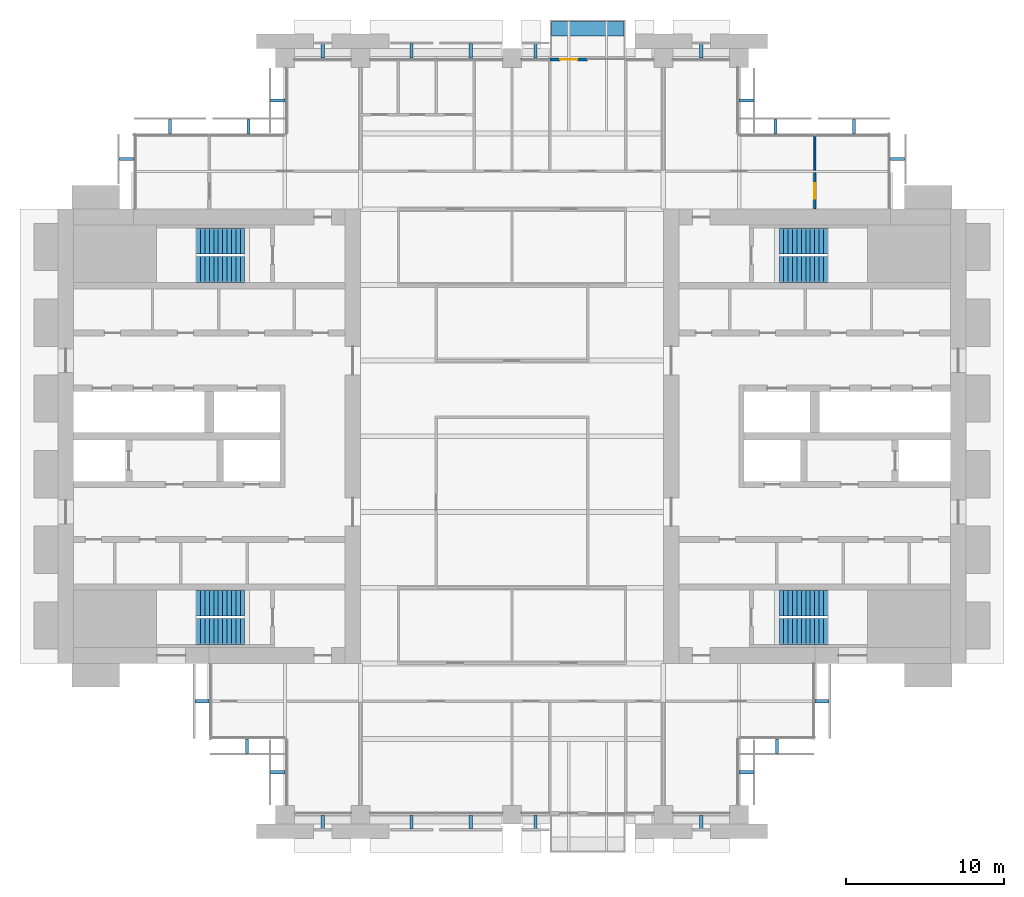
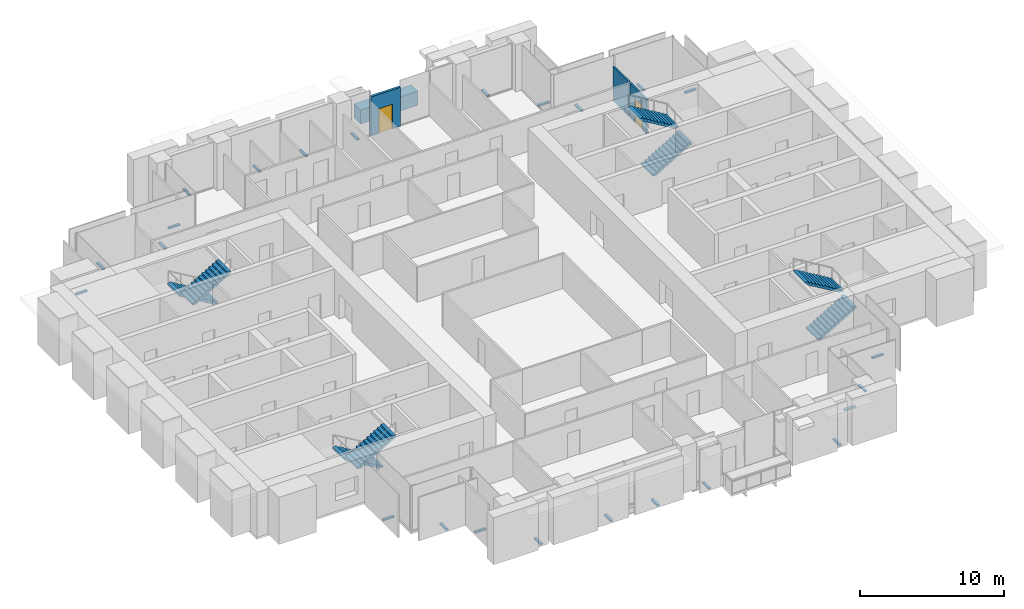
# One storey, part 13 of 15: 24 discrete accessories, 8 stair flights, 4 walls, 2 doors, 2 openings, 4 elements without a shape of their own.
"""IFC4 building model written with IfcOpenShell, lengths in metres."""

from ifc_helpers import new_model, si_unit, direction, frame, frame_2d, origin, origin_2d, place, context, subcontext, project, spatial, polyline, rectangle, outline, extrude, material, layer, layer_set, type_object, element, fill, aggregate, save


model = new_model("IFC4")

# Units and contexts
model_context = context("Model", 3, precision=1e-05, world=origin(), true_north=direction((0.0, 1.0)))
body_context = subcontext(model_context, "Body", "Model", "MODEL_VIEW")
ifc_project = project(units=[si_unit("LENGTHUNIT", "METRE"), si_unit("AREAUNIT", "SQUARE_METRE"), si_unit("VOLUMEUNIT", "CUBIC_METRE"), si_unit("PLANEANGLEUNIT", "RADIAN"), si_unit("MASSUNIT", "GRAM", prefix="KILO")], contexts=[model_context])

# Site, building, storey
site_placement = place(None, origin())
site = spatial("IfcSite", under=ifc_project, at=site_placement, CompositionType="ELEMENT")
building_placement = place(site_placement, origin())
building = spatial("IfcBuilding", under=site, at=building_placement, Name="Baori Bourse Tower", CompositionType="ELEMENT")
storey_placement = place(building_placement, frame((0.0, 0.0, 140.10009765625)))
storey = spatial("IfcBuildingStorey", under=building, at=storey_placement, Name="L30", CompositionType="ELEMENT", Elevation=140.10009765625)

# Wall, opening, door
ifc_material_1 = material(Name="Gypsum board partition")
ifc_layer_1 = layer(ifc_material_1, 0.14990234375)
ifc_layer_set_1 = layer_set([ifc_layer_1], Name="Corridor partition 150")
wall_type_1 = type_object("IfcWallType", Name="Corridor partition 150", PredefinedType="PARTITIONING", material=ifc_layer_set_1)
wall_1_placement = place(storey_placement, frame((48.0, 38.39990234375, 0.0), z_axis=(0.0, 0.0, 1.0), x_axis=(0.0, 1.0, 0.0)))
wall_1 = element("IfcWall", 1, at=wall_1_placement, inside=storey, type_object=wall_type_1, Name="Partition", PredefinedType="PARTITIONING", context=body_context, shape_type="SweptSolid", body=[
    extrude(rectangle(XDim=2.3251953125, YDim=0.14990234375, at=frame_2d((1.16259765625, 0.0))), origin(), (0.0, 0.0, 1.0), 2.935546875),
])
opening_1_placement = place(wall_1_placement, frame((0.66259765625, 0.0, 0.0)))
opening_1 = element("IfcOpeningElement", 2, at=opening_1_placement, cuts=wall_1, Name="Opening L30-D24", PredefinedType="OPENING", context=body_context, shape_type="SweptSolid", body=[
    extrude(rectangle(XDim=1.0, YDim=2.10009765625, at=frame_2d((0.5, 1.050048828125))), frame((0.0, 0.0849609375, 0.0), z_axis=(0.0, -1.0, 0.0), x_axis=(1.0, 0.0, 0.0)), (0.0, 0.0, 1.0), 0.169921875),
])
ifc_material_2 = material(Name="Timber door leaf", Category="wood")
door_type_1 = type_object("IfcDoorType", Name="Door 1000 x 2100", OperationType="SINGLE_SWING_LEFT", PredefinedType="DOOR", material=ifc_material_2)
door_1_placement = place(opening_1_placement, origin())
door_1 = element("IfcDoor", 3, at=door_1_placement, inside=storey, type_object=door_type_1, Name="Door", OperationType="SINGLE_SWING_LEFT", OverallHeight=2.10009765625, OverallWidth=1.0, PredefinedType="DOOR", context=body_context, shape_type="SweptSolid", body=[
    extrude(rectangle(XDim=1.0, YDim=2.10009765625, at=frame_2d((0.5, 1.050048828125))), frame((0.0, 0.02490234375, 0.0), z_axis=(0.0, -1.0, 0.0), x_axis=(1.0, 0.0, 0.0)), (0.0, 0.0, 1.0), 0.050048828125),
])
fill(opening_1, door_1)

ifc_material_3 = material(Name="Pale anodised aluminium", Category="aluminium")
ifc_layer_2 = layer(ifc_material_3, 0.199951171875)
ifc_layer_set_2 = layer_set([ifc_layer_2], Name="EW1 External wall bay")
wall_type_2 = type_object("IfcWallType", Name="EW1 External wall bay", PredefinedType="SOLIDWALL", material=ifc_layer_set_2)
wall_2_placement = place(storey_placement, frame((33.60009765625, 47.89990234375, 0.0), z_axis=(0.0, 0.0, 1.0), x_axis=(-1.0, 0.0, 0.0)))
wall_2 = element("IfcWall", 4, at=wall_2_placement, inside=storey, type_object=wall_type_2, Name="External wall bay L30 1", PredefinedType="SOLIDWALL", context=body_context, shape_type="SweptSolid", body=[
    extrude(rectangle(XDim=2.400146484375, YDim=0.199951171875, at=frame_2d((1.2001953125, 0.0))), origin(), (0.0, 0.0, 1.0), 3.314208984375),
])
opening_2_placement = place(wall_2_placement, frame((0.64990234375, 0.0, 0.0)))
opening_2 = element("IfcOpeningElement", 5, at=opening_2_placement, cuts=wall_2, Name="Opening L30-D91", PredefinedType="OPENING", context=body_context, shape_type="SweptSolid", body=[
    extrude(rectangle(XDim=1.10009765625, YDim=2.10009765625, at=frame_2d((0.550048828125, 1.050048828125))), frame((0.0, 0.10986328125, 0.0), z_axis=(0.0, -1.0, 0.0), x_axis=(1.0, 0.0, 0.0)), (0.0, 0.0, 1.0), 0.219970703125),
])
ifc_material_4 = material(Name="Pale anodised aluminium", Category="aluminium")
door_type_2 = type_object("IfcDoorType", Name="BL1 Balcony door", OperationType="SINGLE_SWING_LEFT", PredefinedType="DOOR", material=ifc_material_4)
door_2_placement = place(opening_2_placement, origin())
door_2 = element("IfcDoor", 6, at=door_2_placement, inside=storey, type_object=door_type_2, Name="Balcony door L30 1", OperationType="SINGLE_SWING_LEFT", OverallHeight=2.10009765625, OverallWidth=1.10009765625, PredefinedType="DOOR", context=body_context, shape_type="SweptSolid", body=[
    extrude(rectangle(XDim=1.10009765625, YDim=2.10009765625, at=frame_2d((0.550048828125, 1.050048828125))), frame((0.0, 0.02490234375, 0.0), z_axis=(0.0, -1.0, 0.0), x_axis=(1.0, 0.0, 0.0)), (0.0, 0.0, 1.0), 0.050048828125),
])
fill(opening_2, door_2)

# Walls
ifc_material_5 = material(Name="Concrete f'c 40 MPa", Category="concrete")
ifc_layer_3 = layer(ifc_material_5, 0.89990234375)
ifc_layer_set_3 = layer_set([ifc_layer_3], Name="PW1 Planter wall")
wall_type_3 = type_object("IfcWallType", Name="PW1 Planter wall", PredefinedType="USERDEFINED", material=ifc_layer_set_3)
wall_3_placement = place(storey_placement, frame((31.300048828125, 49.85009765625, 0.0), z_axis=(0.0, 0.0, 1.0), x_axis=(1.0, 0.0, 0.0)))
element("IfcWall", 7, at=wall_3_placement, inside=storey, type_object=wall_type_3, Name="Planter balcony N L30 2", ObjectType="PLANTER", PredefinedType="USERDEFINED", context=body_context, shape_type="SweptSolid", body=[
    extrude(rectangle(XDim=4.599853515625, YDim=0.89990234375, at=frame_2d((2.2998046875, 0.0))), origin(), (0.0, 0.0, 1.0), 1.199951171875),
])
ifc_material_6 = material(Name="Gypsum board partition")
ifc_layer_4 = layer(ifc_material_6, 0.125)
ifc_layer_set_4 = layer_set([ifc_layer_4], Name="Partition 125")
wall_type_4 = type_object("IfcWallType", Name="Partition 125", PredefinedType="PARTITIONING", material=ifc_layer_set_4)
wall_4_placement = place(storey_placement, frame((48.0, 40.875, 0.0), z_axis=(0.0, 0.0, 1.0), x_axis=(0.0, 1.0, 0.0)))
element("IfcWall", 8, at=wall_4_placement, inside=storey, type_object=wall_type_4, Name="Partition", PredefinedType="PARTITIONING", context=body_context, shape_type="SweptSolid", body=[
    extrude(rectangle(XDim=2.22509765625, YDim=0.125, at=frame_2d((1.112548828125, 0.0))), origin(), (0.0, 0.0, 1.0), 2.935546875),
])

# Stair, stair flights
ifc_material_7 = material(Name="Concrete f'c 50 MPa", Category="concrete")
stair_type = type_object("IfcStairType", Name="Core stair", PredefinedType="HALF_TURN_STAIR", material=ifc_material_7)
stair_1_placement = place(storey_placement, origin())
stair_1 = element("IfcStair", 9, at=stair_1_placement, inside=storey, type_object=stair_type, Name="L30 Stair WA", PredefinedType="HALF_TURN_STAIR")
ifc_material_8 = material(Name="Concrete f'c 50 MPa", Category="concrete")
stair_flight_type = type_object("IfcStairFlightType", Name="Core stair flight", PredefinedType="STRAIGHT", material=ifc_material_8)
stair_flight_1_placement = place(storey_placement, frame((11.85009765625, 13.425048828125, 0.0), z_axis=(0.0, 0.0, 1.0), x_axis=(-1.0, 0.0, 0.0)))
stair_flight_1 = element("IfcStairFlight", 10, at=stair_flight_1_placement, type_object=stair_flight_type, Name="ST1 flight 1", NumberOfRisers=12, NumberOfTreads=11, PredefinedType="STRAIGHT", RiserHeight=0.166666667, TreadLength=0.28, context=body_context, shape_type="SweptSolid", body=[
    extrude(outline(polyline([(0.0, 0.0), (0.0, 0.166748046875), (0.280029296875, 0.166748046875), (0.280029296875, 0.333251953125), (0.56005859375, 0.333251953125), (0.56005859375, 0.5), (0.840087890625, 0.5), (0.840087890625, 0.666748046875), (1.1201171875, 0.666748046875), (1.1201171875, 0.833251953125), (1.39990234375, 0.833251953125), (1.39990234375, 1.0), (1.679931640625, 1.0), (1.679931640625, 1.166748046875), (1.9599609375, 1.166748046875), (1.9599609375, 1.333251953125), (2.239990234375, 1.333251953125), (2.239990234375, 1.5), (2.52001953125, 1.5), (2.52001953125, 1.666748046875), (2.800048828125, 1.666748046875), (2.800048828125, 1.833251953125), (3.080078125, 1.833251953125), (3.080078125, 2.0), (3.080078125, 1.658935546875), (0.29296875, 0.0), (0.0, 0.0)])), frame((0.0, 0.824951171875, 0.0), z_axis=(0.0, -1.0, 0.0), x_axis=(1.0, 0.0, 0.0)), (0.0, 0.0, 1.0), 1.64990234375),
])
stair_flight_2_placement = place(storey_placement, frame((8.77001953125, 11.625, 2.0), z_axis=(0.0, 0.0, 1.0), x_axis=(1.0, 0.0, 0.0)))
stair_flight_2 = element("IfcStairFlight", 11, at=stair_flight_2_placement, type_object=stair_flight_type, Name="ST1 flight 2", NumberOfRisers=12, NumberOfTreads=11, PredefinedType="STRAIGHT", RiserHeight=0.166666667, TreadLength=0.28, context=body_context, shape_type="SweptSolid", body=[
    extrude(outline(polyline([(0.0, 0.0), (0.0, 0.166748046875), (0.280029296875, 0.166748046875), (0.280029296875, 0.333251953125), (0.56005859375, 0.333251953125), (0.56005859375, 0.5), (0.840087890625, 0.5), (0.840087890625, 0.666748046875), (1.1201171875, 0.666748046875), (1.1201171875, 0.833251953125), (1.39990234375, 0.833251953125), (1.39990234375, 1.0), (1.679931640625, 1.0), (1.679931640625, 1.166748046875), (1.9599609375, 1.166748046875), (1.9599609375, 1.333251953125), (2.239990234375, 1.333251953125), (2.239990234375, 1.5), (2.52001953125, 1.5), (2.52001953125, 1.666748046875), (2.800048828125, 1.666748046875), (2.800048828125, 1.833251953125), (3.080078125, 1.833251953125), (3.080078125, 2.0), (3.080078125, 1.658935546875), (0.29296875, 0.0), (0.0, 0.0)])), frame((0.0, 0.824951171875, 0.0), z_axis=(0.0, -1.0, 0.0), x_axis=(1.0, 0.0, 0.0)), (0.0, 0.0, 1.0), 1.64990234375),
])
aggregate(stair_1, [stair_flight_1, stair_flight_2])

stair_2_placement = place(storey_placement, origin())
stair_2 = element("IfcStair", 12, at=stair_2_placement, inside=storey, type_object=stair_type, Name="L30 Stair WB", PredefinedType="HALF_TURN_STAIR")
stair_flight_3_placement = place(storey_placement, frame((11.85009765625, 36.375, 0.0), z_axis=(0.0, 0.0, 1.0), x_axis=(-1.0, 0.0, 0.0)))
stair_flight_3 = element("IfcStairFlight", 13, at=stair_flight_3_placement, type_object=stair_flight_type, Name="ST2 flight 1", NumberOfRisers=12, NumberOfTreads=11, PredefinedType="STRAIGHT", RiserHeight=0.166666667, TreadLength=0.28, context=body_context, shape_type="SweptSolid", body=[
    extrude(outline(polyline([(0.0, 0.0), (0.0, 0.166748046875), (0.280029296875, 0.166748046875), (0.280029296875, 0.333251953125), (0.56005859375, 0.333251953125), (0.56005859375, 0.5), (0.840087890625, 0.5), (0.840087890625, 0.666748046875), (1.1201171875, 0.666748046875), (1.1201171875, 0.833251953125), (1.39990234375, 0.833251953125), (1.39990234375, 1.0), (1.679931640625, 1.0), (1.679931640625, 1.166748046875), (1.9599609375, 1.166748046875), (1.9599609375, 1.333251953125), (2.239990234375, 1.333251953125), (2.239990234375, 1.5), (2.52001953125, 1.5), (2.52001953125, 1.666748046875), (2.800048828125, 1.666748046875), (2.800048828125, 1.833251953125), (3.080078125, 1.833251953125), (3.080078125, 2.0), (3.080078125, 1.658935546875), (0.29296875, 0.0), (0.0, 0.0)])), frame((0.0, 0.824951171875, 0.0), z_axis=(0.0, -1.0, 0.0), x_axis=(1.0, 0.0, 0.0)), (0.0, 0.0, 1.0), 1.64990234375),
])
stair_flight_4_placement = place(storey_placement, frame((8.77001953125, 34.574951171875, 2.0), z_axis=(0.0, 0.0, 1.0), x_axis=(1.0, 0.0, 0.0)))
stair_flight_4 = element("IfcStairFlight", 14, at=stair_flight_4_placement, type_object=stair_flight_type, Name="ST2 flight 2", NumberOfRisers=12, NumberOfTreads=11, PredefinedType="STRAIGHT", RiserHeight=0.166666667, TreadLength=0.28, context=body_context, shape_type="SweptSolid", body=[
    extrude(outline(polyline([(0.0, 0.0), (0.0, 0.166748046875), (0.280029296875, 0.166748046875), (0.280029296875, 0.333251953125), (0.56005859375, 0.333251953125), (0.56005859375, 0.5), (0.840087890625, 0.5), (0.840087890625, 0.666748046875), (1.1201171875, 0.666748046875), (1.1201171875, 0.833251953125), (1.39990234375, 0.833251953125), (1.39990234375, 1.0), (1.679931640625, 1.0), (1.679931640625, 1.166748046875), (1.9599609375, 1.166748046875), (1.9599609375, 1.333251953125), (2.239990234375, 1.333251953125), (2.239990234375, 1.5), (2.52001953125, 1.5), (2.52001953125, 1.666748046875), (2.800048828125, 1.666748046875), (2.800048828125, 1.833251953125), (3.080078125, 1.833251953125), (3.080078125, 2.0), (3.080078125, 1.658935546875), (0.29296875, 0.0), (0.0, 0.0)])), frame((0.0, 0.824951171875, 0.0), z_axis=(0.0, -1.0, 0.0), x_axis=(1.0, 0.0, 0.0)), (0.0, 0.0, 1.0), 1.64990234375),
])
aggregate(stair_2, [stair_flight_3, stair_flight_4])

stair_3_placement = place(storey_placement, origin())
stair_3 = element("IfcStair", 15, at=stair_3_placement, inside=storey, type_object=stair_type, Name="L30 Stair EA", PredefinedType="HALF_TURN_STAIR")
stair_flight_5_placement = place(storey_placement, frame((45.75, 11.625, 0.0), z_axis=(0.0, 0.0, 1.0), x_axis=(1.0, 0.0, 0.0)))
stair_flight_5 = element("IfcStairFlight", 16, at=stair_flight_5_placement, type_object=stair_flight_type, Name="ST3 flight 1", NumberOfRisers=12, NumberOfTreads=11, PredefinedType="STRAIGHT", RiserHeight=0.166666667, TreadLength=0.28, context=body_context, shape_type="SweptSolid", body=[
    extrude(outline(polyline([(0.0, 0.0), (0.0, 0.166748046875), (0.280029296875, 0.166748046875), (0.280029296875, 0.333251953125), (0.56005859375, 0.333251953125), (0.56005859375, 0.5), (0.840087890625, 0.5), (0.840087890625, 0.666748046875), (1.1201171875, 0.666748046875), (1.1201171875, 0.833251953125), (1.39990234375, 0.833251953125), (1.39990234375, 1.0), (1.679931640625, 1.0), (1.679931640625, 1.166748046875), (1.9599609375, 1.166748046875), (1.9599609375, 1.333251953125), (2.239990234375, 1.333251953125), (2.239990234375, 1.5), (2.52001953125, 1.5), (2.52001953125, 1.666748046875), (2.800048828125, 1.666748046875), (2.800048828125, 1.833251953125), (3.080078125, 1.833251953125), (3.080078125, 2.0), (3.080078125, 1.658935546875), (0.29296875, 0.0), (0.0, 0.0)])), frame((0.0, 0.824951171875, 0.0), z_axis=(0.0, -1.0, 0.0), x_axis=(1.0, 0.0, 0.0)), (0.0, 0.0, 1.0), 1.64990234375),
])
stair_flight_6_placement = place(storey_placement, frame((48.830078125, 13.425048828125, 2.0), z_axis=(0.0, 0.0, 1.0), x_axis=(-1.0, 0.0, 0.0)))
stair_flight_6 = element("IfcStairFlight", 17, at=stair_flight_6_placement, type_object=stair_flight_type, Name="ST3 flight 2", NumberOfRisers=12, NumberOfTreads=11, PredefinedType="STRAIGHT", RiserHeight=0.166666667, TreadLength=0.28, context=body_context, shape_type="SweptSolid", body=[
    extrude(outline(polyline([(0.0, 0.0), (0.0, 0.166748046875), (0.280029296875, 0.166748046875), (0.280029296875, 0.333251953125), (0.56005859375, 0.333251953125), (0.56005859375, 0.5), (0.840087890625, 0.5), (0.840087890625, 0.666748046875), (1.1201171875, 0.666748046875), (1.1201171875, 0.833251953125), (1.39990234375, 0.833251953125), (1.39990234375, 1.0), (1.679931640625, 1.0), (1.679931640625, 1.166748046875), (1.9599609375, 1.166748046875), (1.9599609375, 1.333251953125), (2.239990234375, 1.333251953125), (2.239990234375, 1.5), (2.52001953125, 1.5), (2.52001953125, 1.666748046875), (2.800048828125, 1.666748046875), (2.800048828125, 1.833251953125), (3.080078125, 1.833251953125), (3.080078125, 2.0), (3.080078125, 1.658935546875), (0.29296875, 0.0), (0.0, 0.0)])), frame((0.0, 0.824951171875, 0.0), z_axis=(0.0, -1.0, 0.0), x_axis=(1.0, 0.0, 0.0)), (0.0, 0.0, 1.0), 1.64990234375),
])
aggregate(stair_3, [stair_flight_5, stair_flight_6])

stair_4_placement = place(storey_placement, origin())
stair_4 = element("IfcStair", 18, at=stair_4_placement, inside=storey, type_object=stair_type, Name="L30 Stair EB", PredefinedType="HALF_TURN_STAIR")
stair_flight_7_placement = place(storey_placement, frame((45.75, 34.574951171875, 0.0), z_axis=(0.0, 0.0, 1.0), x_axis=(1.0, 0.0, 0.0)))
stair_flight_7 = element("IfcStairFlight", 19, at=stair_flight_7_placement, type_object=stair_flight_type, Name="ST4 flight 1", NumberOfRisers=12, NumberOfTreads=11, PredefinedType="STRAIGHT", RiserHeight=0.166666667, TreadLength=0.28, context=body_context, shape_type="SweptSolid", body=[
    extrude(outline(polyline([(0.0, 0.0), (0.0, 0.166748046875), (0.280029296875, 0.166748046875), (0.280029296875, 0.333251953125), (0.56005859375, 0.333251953125), (0.56005859375, 0.5), (0.840087890625, 0.5), (0.840087890625, 0.666748046875), (1.1201171875, 0.666748046875), (1.1201171875, 0.833251953125), (1.39990234375, 0.833251953125), (1.39990234375, 1.0), (1.679931640625, 1.0), (1.679931640625, 1.166748046875), (1.9599609375, 1.166748046875), (1.9599609375, 1.333251953125), (2.239990234375, 1.333251953125), (2.239990234375, 1.5), (2.52001953125, 1.5), (2.52001953125, 1.666748046875), (2.800048828125, 1.666748046875), (2.800048828125, 1.833251953125), (3.080078125, 1.833251953125), (3.080078125, 2.0), (3.080078125, 1.658935546875), (0.29296875, 0.0), (0.0, 0.0)])), frame((0.0, 0.824951171875, 0.0), z_axis=(0.0, -1.0, 0.0), x_axis=(1.0, 0.0, 0.0)), (0.0, 0.0, 1.0), 1.64990234375),
])
stair_flight_8_placement = place(storey_placement, frame((48.830078125, 36.375, 2.0), z_axis=(0.0, 0.0, 1.0), x_axis=(-1.0, 0.0, 0.0)))
stair_flight_8 = element("IfcStairFlight", 20, at=stair_flight_8_placement, type_object=stair_flight_type, Name="ST4 flight 2", NumberOfRisers=12, NumberOfTreads=11, PredefinedType="STRAIGHT", RiserHeight=0.166666667, TreadLength=0.28, context=body_context, shape_type="SweptSolid", body=[
    extrude(outline(polyline([(0.0, 0.0), (0.0, 0.166748046875), (0.280029296875, 0.166748046875), (0.280029296875, 0.333251953125), (0.56005859375, 0.333251953125), (0.56005859375, 0.5), (0.840087890625, 0.5), (0.840087890625, 0.666748046875), (1.1201171875, 0.666748046875), (1.1201171875, 0.833251953125), (1.39990234375, 0.833251953125), (1.39990234375, 1.0), (1.679931640625, 1.0), (1.679931640625, 1.166748046875), (1.9599609375, 1.166748046875), (1.9599609375, 1.333251953125), (2.239990234375, 1.333251953125), (2.239990234375, 1.5), (2.52001953125, 1.5), (2.52001953125, 1.666748046875), (2.800048828125, 1.666748046875), (2.800048828125, 1.833251953125), (3.080078125, 1.833251953125), (3.080078125, 2.0), (3.080078125, 1.658935546875), (0.29296875, 0.0), (0.0, 0.0)])), frame((0.0, 0.824951171875, 0.0), z_axis=(0.0, -1.0, 0.0), x_axis=(1.0, 0.0, 0.0)), (0.0, 0.0, 1.0), 1.64990234375),
])
aggregate(stair_4, [stair_flight_7, stair_flight_8])

# Discrete accessories
ifc_material_9 = material(Name="Pale anodised aluminium", Category="aluminium")
discrete_accessory_type = type_object("IfcDiscreteAccessoryType", Name="OS2 Outer skin bracket", PredefinedType="BRACKET", material=ifc_material_9)
for number, where, z_axis, x_axis, name in (
    (21, (53.25, 41.574951171875, -0.14404296875), (0.0, 0.0, 1.0), (0.0, 1.0, 0.0), "Outer skin bracket L30 1"),
    (22, (50.487548828125, 43.64990234375, -0.14404296875), (0.0, 0.0, 1.0), (-1.0, 0.0, 0.0), "Outer skin bracket L30 2"),
    (23, (45.512451171875, 43.64990234375, -0.14404296875), (0.0, 0.0, 1.0), (-1.0, 0.0, 0.0), "Outer skin bracket L30 3"),
    (24, (43.64990234375, 45.300048828125, -0.14404296875), (0.0, 0.0, 1.0), (0.0, 1.0, 0.0), "Outer skin bracket L30 4"),
    (25, (40.800048828125, 48.449951171875, -0.14404296875), (0.0, 0.0, 1.0), (-1.0, 0.0, 0.0), "Outer skin bracket L30 5"),
    (26, (30.300048828125, 48.449951171875, -0.14404296875), (0.0, 0.0, 1.0), (-1.0, 0.0, 0.0), "Outer skin bracket L30 6"),
    (27, (26.1875, 48.449951171875, -0.14404296875), (0.0, 0.0, 1.0), (-1.0, 0.0, 0.0), "Outer skin bracket L30 7"),
    (28, (22.4375, 48.449951171875, -0.14404296875), (0.0, 0.0, 1.0), (-1.0, 0.0, 0.0), "Outer skin bracket L30 8"),
    (29, (16.800048828125, 48.449951171875, -0.14404296875), (0.0, 0.0, 1.0), (-1.0, 0.0, 0.0), "Outer skin bracket L30 9"),
    (30, (13.949951171875, 45.300048828125, -0.14404296875), (0.0, 0.0, 1.0), (0.0, -1.0, 0.0), "Outer skin bracket L30 10"),
    (31, (12.08740234375, 43.64990234375, -0.14404296875), (0.0, 0.0, 1.0), (-1.0, 0.0, 0.0), "Outer skin bracket L30 11"),
    (32, (7.112548828125, 43.64990234375, -0.14404296875), (0.0, 0.0, 1.0), (-1.0, 0.0, 0.0), "Outer skin bracket L30 12"),
    (33, (4.35009765625, 41.574951171875, -0.14404296875), (0.0, 0.0, 1.0), (0.0, -1.0, 0.0), "Outer skin bracket L30 13"),
    (34, (9.14990234375, 7.199951171875, -0.14404296875), (0.0, 0.0, 1.0), (0.0, -1.0, 0.0), "Outer skin bracket L30 14"),
    (35, (12.0, 4.35009765625, -0.14404296875), (0.0, 0.0, 1.0), (1.0, 0.0, 0.0), "Outer skin bracket L30 15"),
    (36, (13.949951171875, 2.699951171875, -0.14404296875), (0.0, 0.0, 1.0), (0.0, -1.0, 0.0), "Outer skin bracket L30 16"),
    (37, (16.800048828125, -0.449951171875, -0.14404296875), (0.0, 0.0, 1.0), (1.0, 0.0, 0.0), "Outer skin bracket L30 17"),
    (38, (22.4375, -0.449951171875, -0.14404296875), (0.0, 0.0, 1.0), (1.0, 0.0, 0.0), "Outer skin bracket L30 18"),
    (39, (26.1875, -0.449951171875, -0.14404296875), (0.0, 0.0, 1.0), (1.0, 0.0, 0.0), "Outer skin bracket L30 19"),
    (40, (30.300048828125, -0.449951171875, -0.14404296875), (0.0, 0.0, 1.0), (1.0, 0.0, 0.0), "Outer skin bracket L30 20"),
    (41, (40.800048828125, -0.449951171875, -0.14404296875), (0.0, 0.0, 1.0), (1.0, 0.0, 0.0), "Outer skin bracket L30 21"),
    (42, (43.64990234375, 2.699951171875, -0.14404296875), (0.0, 0.0, 1.0), (0.0, 1.0, 0.0), "Outer skin bracket L30 22"),
    (43, (45.60009765625, 4.35009765625, -0.14404296875), (0.0, 0.0, 1.0), (1.0, 0.0, 0.0), "Outer skin bracket L30 23"),
    (44, (48.449951171875, 7.199951171875, -0.14404296875), (0.0, 0.0, 1.0), (0.0, 1.0, 0.0), "Outer skin bracket L30 24"),
):
    element("IfcDiscreteAccessory", number, at=place(storey_placement, frame(where, z_axis=z_axis, x_axis=x_axis)), inside=storey, type_object=discrete_accessory_type, Name=name, PredefinedType="BRACKET", context=body_context, shape_type="SweptSolid", body=[
        extrude(rectangle(XDim=0.199951171875, YDim=0.89990234375, at=origin_2d()), origin(), (0.0, 0.0, 1.0), 0.1279296875),
    ])

save(model, "model.ifc")
